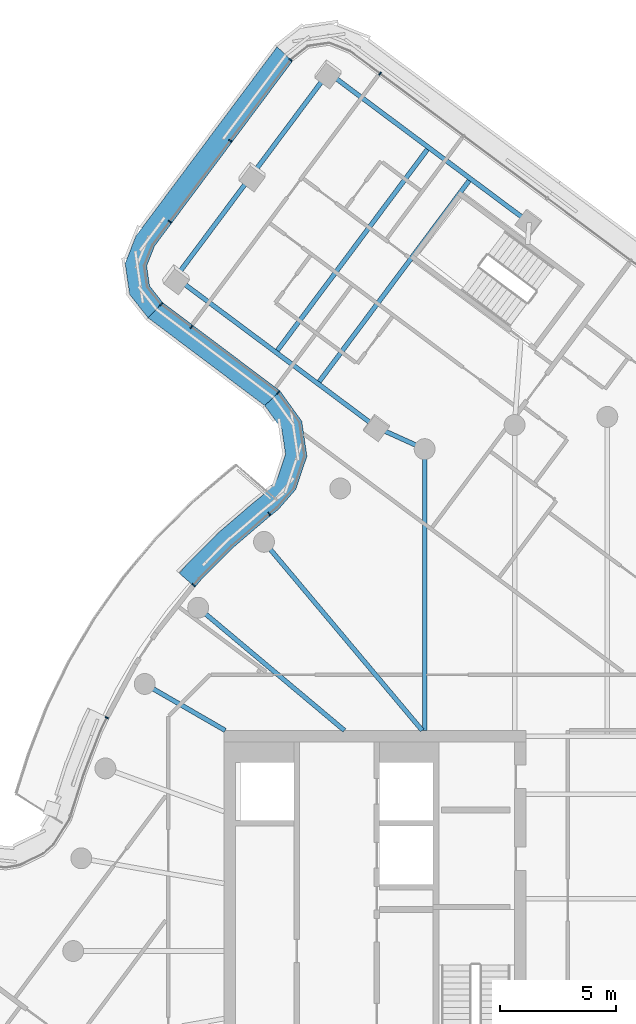
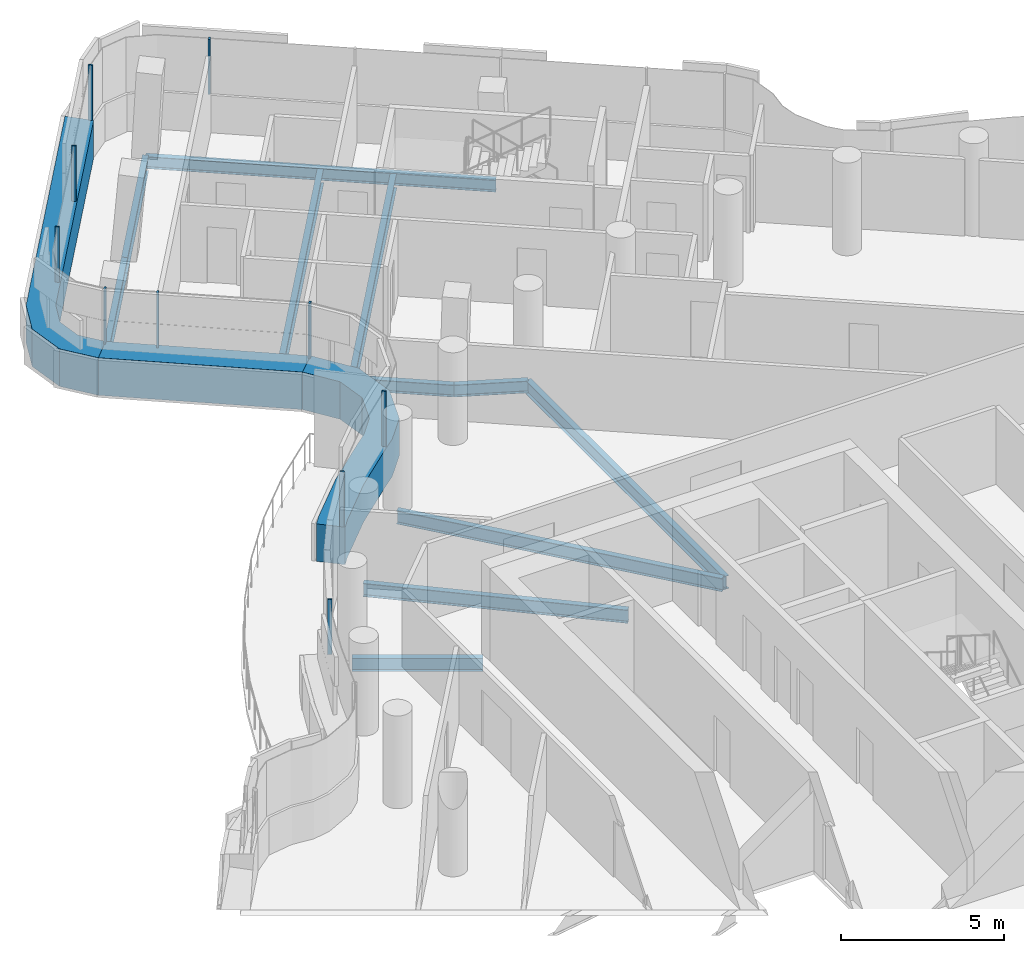
# One storey, part 10 of 27: 13 members, 11 beams, 4 elements without a shape of their own.
"""IFC4 building model written with IfcOpenShell, lengths in metres."""

from ifc_helpers import new_model, si_unit, direction, frame, origin, origin_2d, place, context, subcontext, project, spatial, polyline, rectangle, i_section, outline, extrude, material, layer, layer_set, material_profile, profile_set, type_object, element, aggregate, save


model = new_model("IFC4")

# Units and contexts
model_context = context("Model", 3, precision=1e-05, world=origin(), true_north=direction((0.0, 1.0)))
body_context = subcontext(model_context, "Body", "Model", "MODEL_VIEW")
ifc_project = project(units=[si_unit("LENGTHUNIT", "METRE"), si_unit("AREAUNIT", "SQUARE_METRE"), si_unit("VOLUMEUNIT", "CUBIC_METRE"), si_unit("PLANEANGLEUNIT", "RADIAN"), si_unit("MASSUNIT", "GRAM", prefix="KILO")], contexts=[model_context])

# Site, building, storey
site_placement = place(None, origin())
site = spatial("IfcSite", under=ifc_project, at=site_placement, CompositionType="ELEMENT")
building_placement = place(site_placement, origin())
building = spatial("IfcBuilding", under=site, at=building_placement, Name="Tamarind Cross Interchange Tower", CompositionType="ELEMENT")
storey_placement = place(building_placement, frame((0.0, 0.0, 227.10009765625)))
storey = spatial("IfcBuildingStorey", under=building, at=storey_placement, Name="L57", CompositionType="ELEMENT", Elevation=227.10009765625)

# Beams
ifc_material_1 = material(Name="Steel Q355B", Category="steel")
ifc_material_profile_1 = material_profile(ifc_material_1, i_section(OverallWidth=0.198974609375, OverallDepth=0.446044921875, WebThickness=0.008056640625, FlangeThickness=0.011962890625, FilletRadius=0.012939453125, at=origin_2d()), Name="HN 446x199x8x12")
ifc_profile_set_1 = profile_set([ifc_material_profile_1], Name="Steel Q355B")
beam_type_1 = type_object("IfcBeamType", Name="Composite beam HN 446x199x8x12 Q355B", PredefinedType="BEAM", material=ifc_profile_set_1)
for number, where, z_axis, x_axis, name in (
    (1, (-12.016357421875, 37.82275390625, -0.363037109375), (0.801617736206, -0.597836938471, 0.0), (0.597836938471, 0.801617736206, 0.0), "Beam N-edgeem4"),
    (2, (-18.592529296875, 29.005126953125, -0.363037109375), (0.801609650607, -0.597847780002, 0.0), (0.597847780002, 0.801609650607, 0.0), "Beam N-edgeep2"),
):
    element("IfcBeam", number, at=place(storey_placement, frame(where, z_axis=z_axis, x_axis=x_axis)), inside=storey, type_object=beam_type_1, Name=name, PredefinedType="BEAM", context=body_context, shape_type="SweptSolid", body=[
        extrude(i_section(OverallWidth=0.198974609375, OverallDepth=0.446044921875, WebThickness=0.008056640625, FlangeThickness=0.011962890625, FilletRadius=0.012939453125, at=origin_2d()), origin(), (0.0, 0.0, 1.0), 10.7919921875),
    ])
beam_1_placement = place(storey_placement, frame((-9.941650390625, 22.55322265625, -0.363037109375), z_axis=(0.910875905588, -0.412680366167, 0.0), x_axis=(0.412680366167, 0.910875905588, 0.0)))
element("IfcBeam", 3, at=beam_1_placement, inside=storey, type_object=beam_type_1, Name="Beam N-linkep", PredefinedType="BEAM", context=body_context, shape_type="SweptSolid", body=[
    extrude(i_section(OverallWidth=0.198974609375, OverallDepth=0.446044921875, WebThickness=0.008056640625, FlangeThickness=0.011962890625, FilletRadius=0.012939453125, at=origin_2d()), origin(), (0.0, 0.0, 1.0), 2.2783203125),
])
ifc_material_profile_2 = material_profile(ifc_material_1, i_section(OverallWidth=0.198974609375, OverallDepth=0.49609375, WebThickness=0.009033203125, FlangeThickness=0.013916015625, FilletRadius=0.012939453125, at=origin_2d()), Name="HN 496x199x9x14")
ifc_profile_set_2 = profile_set([ifc_material_profile_2], Name="Steel Q355B")
beam_type_2 = type_object("IfcBeamType", Name="Composite beam HN 496x199x9x14 Q355B", PredefinedType="BEAM", material=ifc_profile_set_2)
beam_2_placement = place(storey_placement, frame((-7.866455078125, 21.613037109375, -0.38818359375), z_axis=(0.0, -1.0, 0.0), x_axis=(1.0, 0.0, 0.0)))
element("IfcBeam", 4, at=beam_2_placement, inside=storey, type_object=beam_type_2, Name="Beam HH11", PredefinedType="BEAM", context=body_context, shape_type="SweptSolid", body=[
    extrude(i_section(OverallWidth=0.198974609375, OverallDepth=0.49609375, WebThickness=0.009033203125, FlangeThickness=0.013916015625, FilletRadius=0.012939453125, at=origin_2d()), origin(), (0.0, 0.0, 1.0), 12.113037109375),
])
beam_3_placement = place(storey_placement, frame((-14.7841796875, 17.619140625, -0.38818359375), z_axis=(0.642786293979, -0.766045547127, 0.0), x_axis=(0.766045547127, 0.642786293979, 0.0)))
element("IfcBeam", 5, at=beam_3_placement, inside=storey, type_object=beam_type_2, Name="Beam HH13", PredefinedType="BEAM", context=body_context, shape_type="SweptSolid", body=[
    extrude(i_section(OverallWidth=0.198974609375, OverallDepth=0.49609375, WebThickness=0.009033203125, FlangeThickness=0.013916015625, FilletRadius=0.012939453125, at=origin_2d()), origin(), (0.0, 0.0, 1.0), 10.598876953125),
])
beam_4_placement = place(storey_placement, frame((-17.619140625, 14.7841796875, -0.38818359375), z_axis=(0.766040580814, -0.642792212574, 0.0), x_axis=(0.642792212574, 0.766040580814, 0.0)))
element("IfcBeam", 6, at=beam_4_placement, inside=storey, type_object=beam_type_2, Name="Beam HH14", PredefinedType="BEAM", context=body_context, shape_type="SweptSolid", body=[
    extrude(i_section(OverallWidth=0.198974609375, OverallDepth=0.49609375, WebThickness=0.009033203125, FlangeThickness=0.013916015625, FilletRadius=0.012939453125, at=origin_2d()), origin(), (0.0, 0.0, 1.0), 8.220703125),
])
beam_5_placement = place(storey_placement, frame((-19.918701171875, 11.5, -0.38818359375), z_axis=(0.866026010844, -0.49999894854, 0.0), x_axis=(0.49999894854, 0.866026010844, 0.0)))
element("IfcBeam", 7, at=beam_5_placement, inside=storey, type_object=beam_type_2, Name="Beam HH15", PredefinedType="BEAM", context=body_context, shape_type="SweptSolid", body=[
    extrude(i_section(OverallWidth=0.198974609375, OverallDepth=0.49609375, WebThickness=0.009033203125, FlangeThickness=0.013916015625, FilletRadius=0.012939453125, at=origin_2d()), origin(), (0.0, 0.0, 1.0), 4.0),
])
ifc_material_profile_3 = material_profile(ifc_material_1, i_section(OverallWidth=0.198974609375, OverallDepth=0.595947265625, WebThickness=0.010009765625, FlangeThickness=0.014892578125, FilletRadius=0.012939453125, at=origin_2d()), Name="HN 596x199x10x15")
ifc_profile_set_3 = profile_set([ifc_material_profile_3], Name="Steel Q355B")
beam_type_3 = type_object("IfcBeamType", Name="Composite beam HN 596x199x10x15 Q355B", PredefinedType="BEAM", material=ifc_profile_set_3)
beam_6_placement = place(storey_placement, frame((-12.016357421875, 37.82275390625, -0.43798828125), z_axis=(-0.597852888532, -0.801605840594, 0.0), x_axis=(0.801605840594, -0.597852888532, 0.0)))
element("IfcBeam", 8, at=beam_6_placement, inside=storey, type_object=beam_type_3, Name="Beam N-tip0", PredefinedType="BEAM", context=body_context, shape_type="SweptSolid", body=[
    extrude(i_section(OverallWidth=0.198974609375, OverallDepth=0.595947265625, WebThickness=0.010009765625, FlangeThickness=0.014892578125, FilletRadius=0.012939453125, at=origin_2d()), origin(), (0.0, 0.0, 1.0), 5.499755859375),
])
beam_7_placement = place(storey_placement, frame((-15.304443359375, 33.4140625, -0.43798828125), z_axis=(-0.597831615212, -0.801621706201, 0.0), x_axis=(0.801621706201, -0.597831615212, 0.0)))
element("IfcBeam", 9, at=beam_7_placement, inside=storey, type_object=beam_type_3, Name="Beam N-tip1", PredefinedType="BEAM", context=body_context, shape_type="SweptSolid", body=[
    extrude(i_section(OverallWidth=0.198974609375, OverallDepth=0.595947265625, WebThickness=0.010009765625, FlangeThickness=0.014892578125, FilletRadius=0.012939453125, at=origin_2d()), origin(), (0.0, 0.0, 1.0), 5.5),
])
for number, where, z_axis, x_axis, name in (
    (10, (-5.890380859375, 33.254150390625, -0.43798828125), (-0.597831615212, -0.801621706201, 0.0), (0.801621706201, -0.597831615212, 0.0), "Beam N-x334"),
    (11, (-7.69091796875, 34.596923828125, -0.43798828125), (-0.597831615212, -0.801621706201, 0.0), (0.801621706201, -0.597831615212, 0.0), "Beam N-x357"),
):
    element("IfcBeam", number, at=place(storey_placement, frame(where, z_axis=z_axis, x_axis=x_axis)), inside=storey, type_object=beam_type_3, Name=name, PredefinedType="BEAM", context=body_context, shape_type="SweptSolid", body=[
        extrude(i_section(OverallWidth=0.198974609375, OverallDepth=0.595947265625, WebThickness=0.010009765625, FlangeThickness=0.014892578125, FilletRadius=0.012939453125, at=origin_2d()), origin(), (0.0, 0.0, 1.0), 11.0),
    ])

# Curtain wall, member
ifc_material_2 = material(Name="Aluminium 6063-T6", Category="aluminium")
ifc_layer = layer(ifc_material_2, 0.139892578125)
ifc_layer_set = layer_set([ifc_layer], Name="Aluminium 6063-T6")
curtain_wall_type = type_object("IfcCurtainWallType", Name="Hotel curtain wall, 4.5 m bays", PredefinedType="NOTDEFINED", material=ifc_layer_set)
curtain_wall_1_placement = place(storey_placement, origin())
curtain_wall_1 = element("IfcCurtainWall", 12, at=curtain_wall_1_placement, inside=storey, type_object=curtain_wall_type, Name="CWS-L57-04", PredefinedType="NOTDEFINED")
ifc_material_3 = material(Name="Aluminium and insulated spandrel panel", Category="aluminium")
member_type_1 = type_object("IfcMemberType", Name="Floor-edge blade transom", PredefinedType="USERDEFINED", material=ifc_material_3)
member_1_placement = place(storey_placement, origin())
member_1 = element("IfcMember", 13, at=member_1_placement, type_object=member_type_1, Name="CWT-L57-04", ObjectType="TRANSOM", PredefinedType="USERDEFINED", context=body_context, shape_type="SweptSolid", body=[
    extrude(outline(polyline([(-13.5673828125, 38.306640625), (-19.49853515625, 30.353759765625), (-19.83740234375, 29.50341796875), (-19.711181640625, 28.637939453125), (-19.143798828125, 27.9189453125), (-19.778076171875, 27.269775390625), (-20.567138671875, 28.26953125), (-20.7626953125, 29.6123046875), (-20.290771484375, 30.796875), (-14.218017578125, 38.939697265625), (-13.5673828125, 38.306640625)])), origin(), (0.0, 0.0, 1.0), 1.39990234375),
])

curtain_wall_2_placement = place(storey_placement, origin())
curtain_wall_2 = element("IfcCurtainWall", 14, at=curtain_wall_2_placement, inside=storey, type_object=curtain_wall_type, Name="CWS-L57-05", PredefinedType="NOTDEFINED")
member_2_placement = place(storey_placement, origin())
member_2 = element("IfcMember", 15, at=member_2_placement, type_object=member_type_1, Name="CWT-L57-05", ObjectType="TRANSOM", PredefinedType="USERDEFINED", context=body_context, shape_type="SweptSolid", body=[
    extrude(outline(polyline([(-19.143798828125, 27.9189453125), (-14.098388671875, 24.121826171875), (-14.749267578125, 23.4853515625), (-19.778076171875, 27.269775390625), (-19.143798828125, 27.9189453125)])), origin(), (0.0, 0.0, 1.0), 1.39990234375),
])

curtain_wall_3_placement = place(storey_placement, origin())
curtain_wall_3 = element("IfcCurtainWall", 16, at=curtain_wall_3_placement, inside=storey, type_object=curtain_wall_type, Name="CWS-L57-06", PredefinedType="NOTDEFINED")
member_3_placement = place(storey_placement, origin())
member_3 = element("IfcMember", 17, at=member_3_placement, type_object=member_type_1, Name="CWT-L57-06-0", ObjectType="TRANSOM", PredefinedType="USERDEFINED", context=body_context, shape_type="SweptSolid", body=[
    extrude(outline(polyline([(-14.098388671875, 24.121826171875), (-13.156982421875, 22.812255859375), (-12.9345703125, 21.307861328125), (-13.413330078125, 19.87841796875), (-14.154541015625, 19.02587890625), (-14.6279296875, 18.64208984375), (-16.12353515625, 17.3642578125), (-17.50244140625, 15.973388671875), (-17.755859375, 15.671630859375), (-18.430908203125, 16.267333984375), (-18.167724609375, 16.580810546875), (-16.736572265625, 18.0244140625), (-15.203857421875, 19.333740234375), (-14.7822265625, 19.675537109375), (-14.2099609375, 20.333740234375), (-13.856201171875, 21.389404296875), (-14.015380859375, 22.46435546875), (-14.749267578125, 23.4853515625), (-14.098388671875, 24.121826171875)])), origin(), (0.0, 0.0, 1.0), 1.39990234375),
])

curtain_wall_4_placement = place(storey_placement, origin())
curtain_wall_4 = element("IfcCurtainWall", 18, at=curtain_wall_4_placement, inside=storey, type_object=curtain_wall_type, Name="CWS-L57-03", PredefinedType="NOTDEFINED")
ifc_material_profile_4 = material_profile(ifc_material_2, rectangle(XDim=0.06005859375, YDim=0.139892578125, at=origin_2d()), Name="Mullion CW2")
ifc_profile_set_4 = profile_set([ifc_material_profile_4], Name="Aluminium 6063-T6")
member_type_2 = type_object("IfcMemberType", Name="Mullion CW2", PredefinedType="MULLION", material=ifc_profile_set_4)
member_4_placement = place(storey_placement, frame((-9.785400390625, 37.78076171875, 1.39990234375), z_axis=(0.0, 0.0, 1.0), x_axis=(-0.801617072029, 0.597837829041, 0.0)))
member_4 = element("IfcMember", 19, at=member_4_placement, type_object=member_type_2, Name="CWM-L57-03-04", PredefinedType="MULLION", context=body_context, shape_type="SweptSolid", body=[
    extrude(rectangle(XDim=0.06005859375, YDim=0.139892578125, at=origin_2d()), origin(), (0.0, 0.0, 1.0), 2.06005859375),
])
aggregate(curtain_wall_4, [member_4])

# Member
member_5_placement = place(storey_placement, frame((-13.6396484375, 38.376953125, 1.39990234375), z_axis=(0.0, 0.0, 1.0), x_axis=(-0.697355267568, -0.716725631463, 0.0)))
member_5 = element("IfcMember", 20, at=member_5_placement, type_object=member_type_2, Name="CWM-L57-04-00", PredefinedType="MULLION", context=body_context, shape_type="SweptSolid", body=[
    extrude(rectangle(XDim=0.06005859375, YDim=0.139892578125, at=origin_2d()), origin(), (0.0, 0.0, 1.0), 2.06005859375),
])

member_6_placement = place(storey_placement, frame((-16.23779296875, 34.893310546875, 1.39990234375), z_axis=(0.0, 0.0, 1.0), x_axis=(-0.597837829041, -0.801617072029, 0.0)))
member_6 = element("IfcMember", 21, at=member_6_placement, type_object=member_type_2, Name="CWM-L57-04-01", PredefinedType="MULLION", context=body_context, shape_type="SweptSolid", body=[
    extrude(rectangle(XDim=0.06005859375, YDim=0.139892578125, at=origin_2d()), origin(), (0.0, 0.0, 1.0), 2.06005859375),
])

member_7_placement = place(storey_placement, frame((-18.835693359375, 31.409912109375, 1.39990234375), z_axis=(0.0, 0.0, 1.0), x_axis=(-0.597837829041, -0.801617072029, 0.0)))
member_7 = element("IfcMember", 22, at=member_7_placement, type_object=member_type_2, Name="CWM-L57-04-02", PredefinedType="MULLION", context=body_context, shape_type="SweptSolid", body=[
    extrude(rectangle(XDim=0.06005859375, YDim=0.139892578125, at=origin_2d()), origin(), (0.0, 0.0, 1.0), 2.06005859375),
])

aggregate(curtain_wall_1, [member_5, member_6, member_7, member_1])

member_8_placement = place(storey_placement, frame((-19.214111328125, 27.8466796875, 1.39990234375), z_axis=(0.0, 0.0, 1.0), x_axis=(0.71520862082, -0.698911030608, 0.0)))
member_8 = element("IfcMember", 23, at=member_8_placement, type_object=member_type_2, Name="CWM-L57-05-00", PredefinedType="MULLION", context=body_context, shape_type="SweptSolid", body=[
    extrude(rectangle(XDim=0.06005859375, YDim=0.139892578125, at=origin_2d()), origin(), (0.0, 0.0, 1.0), 2.06005859375),
])

member_9_placement = place(storey_placement, frame((-17.915283203125, 26.869140625, 1.39990234375), z_axis=(0.0, 0.0, 1.0), x_axis=(0.799011363988, -0.601315923802, 0.0)))
member_9 = element("IfcMember", 24, at=member_9_placement, type_object=member_type_2, Name="CWM-L57-05-01", PredefinedType="MULLION", context=body_context, shape_type="SweptSolid", body=[
    extrude(rectangle(XDim=0.06005859375, YDim=0.139892578125, at=origin_2d()), origin(), (0.0, 0.0, 1.0), 2.06005859375),
])

aggregate(curtain_wall_2, [member_8, member_9, member_2])

member_10_placement = place(storey_placement, frame((-14.170654296875, 24.05126953125, 1.39990234375), z_axis=(0.0, 0.0, 1.0), x_axis=(0.69931727243, -0.71481141043, 0.0)))
member_10 = element("IfcMember", 25, at=member_10_placement, type_object=member_type_2, Name="CWM-L57-06-00", PredefinedType="MULLION", context=body_context, shape_type="SweptSolid", body=[
    extrude(rectangle(XDim=0.06005859375, YDim=0.139892578125, at=origin_2d()), origin(), (0.0, 0.0, 1.0), 2.06005859375),
])

member_11_placement = place(storey_placement, frame((-14.5576171875, 18.827880859375, 1.39990234375), z_axis=(0.0, 0.0, 1.0), x_axis=(-0.776759785248, -0.629796980003, 0.0)))
member_11 = element("IfcMember", 26, at=member_11_placement, type_object=member_type_2, Name="CWM-L57-06-01", PredefinedType="MULLION", context=body_context, shape_type="SweptSolid", body=[
    extrude(rectangle(XDim=0.06005859375, YDim=0.139892578125, at=origin_2d()), origin(), (0.0, 0.0, 1.0), 2.06005859375),
])

member_12_placement = place(storey_placement, frame((-17.811767578125, 15.760498046875, 1.39990234375), z_axis=(0.0, 0.0, 1.0), x_axis=(-0.643009266048, -0.765858396687, 0.0)))
member_12 = element("IfcMember", 27, at=member_12_placement, type_object=member_type_2, Name="CWM-L57-06-02", PredefinedType="MULLION", context=body_context, shape_type="SweptSolid", body=[
    extrude(rectangle(XDim=0.06005859375, YDim=0.139892578125, at=origin_2d()), origin(), (0.0, 0.0, 1.0), 2.06005859375),
])

member_13_placement = place(storey_placement, frame((-21.5498046875, 10.04931640625, 1.39990234375), z_axis=(0.0, 0.0, 1.0), x_axis=(-0.435326231914, -0.900272776334, 0.0)))
member_13 = element("IfcMember", 28, at=member_13_placement, type_object=member_type_2, Name="CWM-L57-06-03", PredefinedType="MULLION", context=body_context, shape_type="SweptSolid", body=[
    extrude(rectangle(XDim=0.06005859375, YDim=0.139892578125, at=origin_2d()), origin(), (0.0, 0.0, 1.0), 2.06005859375),
])

aggregate(curtain_wall_3, [member_10, member_11, member_12, member_13, member_3])

save(model, "model.ifc")
